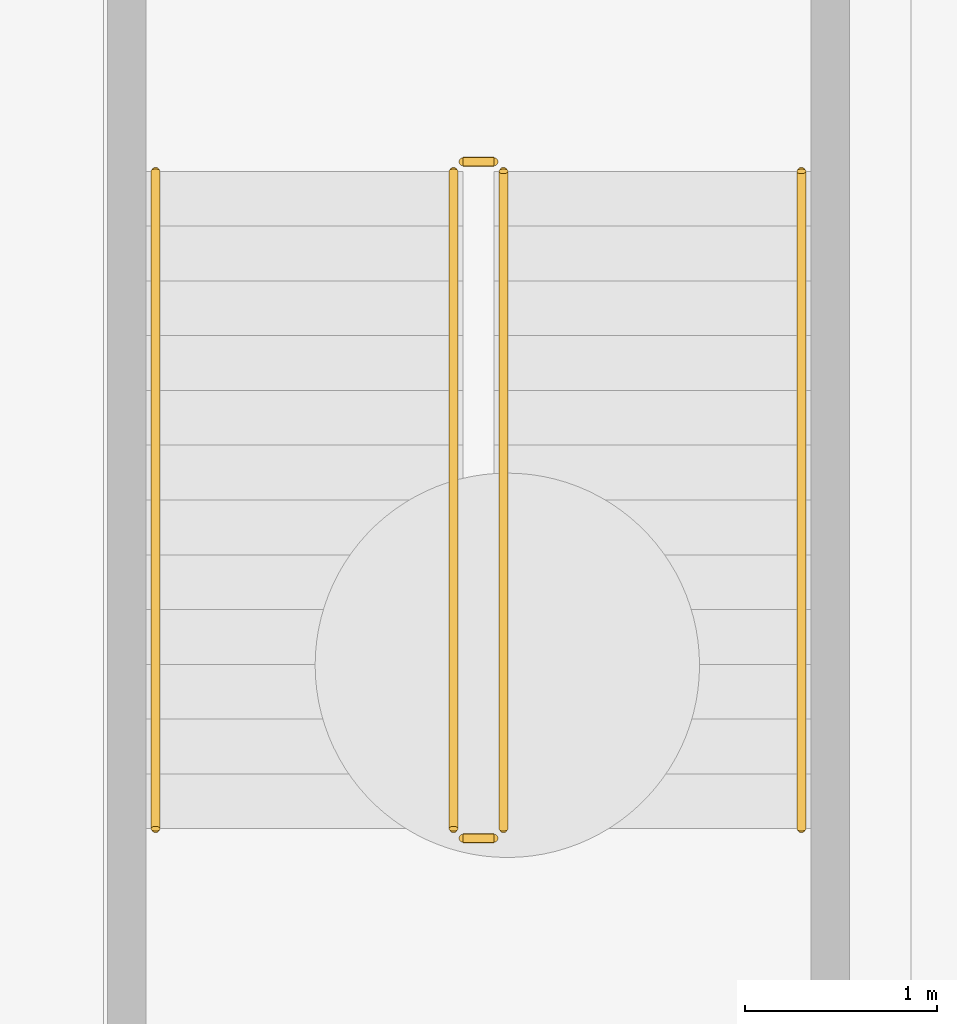
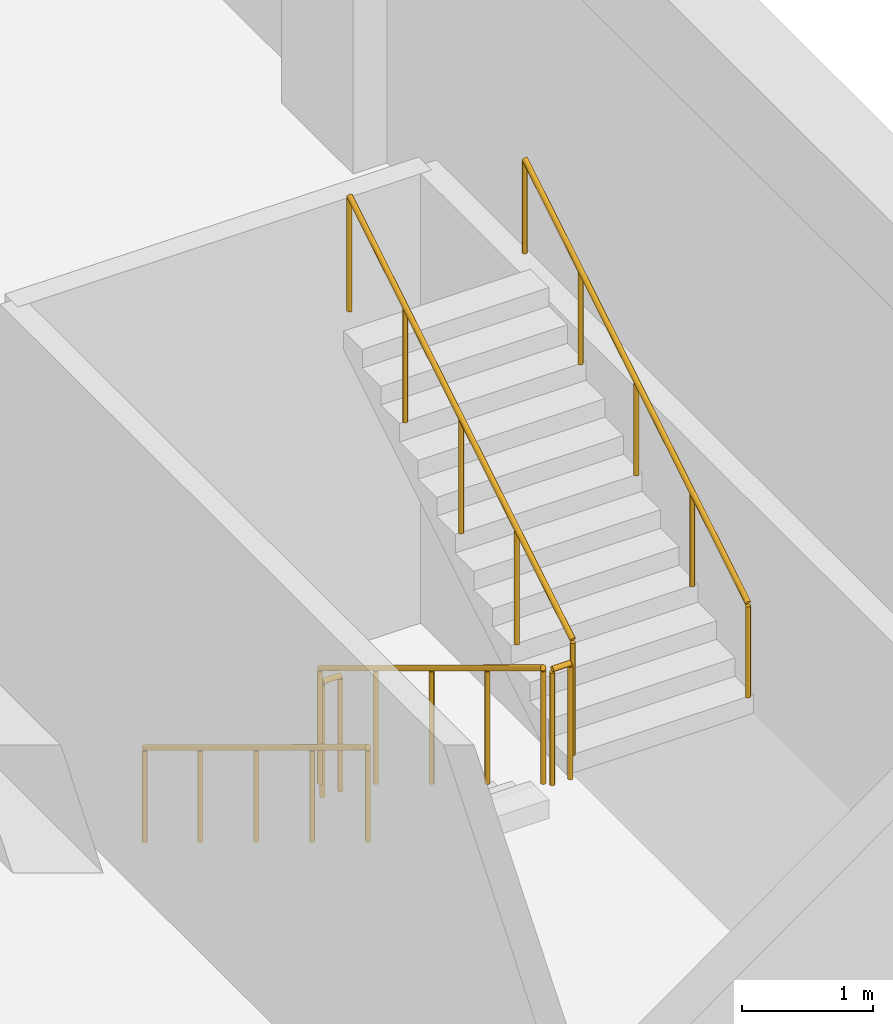
# One storey, part 16 of 17: 6 railings.
"""IFC4 building model written with IfcOpenShell, lengths in metres."""

from ifc_helpers import new_model, si_unit, direction, frame, origin, origin_2d, place, context, subcontext, project, spatial, circle, extrude, material, type_object, element, save


model = new_model("IFC4")

# Units and contexts
model_context = context("Model", 3, precision=1e-05, world=origin(), true_north=direction((0.0, 1.0)))
body_context = subcontext(model_context, "Body", "Model", "MODEL_VIEW")
ifc_project = project(units=[si_unit("LENGTHUNIT", "METRE"), si_unit("AREAUNIT", "SQUARE_METRE"), si_unit("VOLUMEUNIT", "CUBIC_METRE"), si_unit("PLANEANGLEUNIT", "RADIAN"), si_unit("MASSUNIT", "GRAM", prefix="KILO")], contexts=[model_context])

# Site, building, storey
site_placement = place(None, origin())
site = spatial("IfcSite", under=ifc_project, at=site_placement, CompositionType="ELEMENT")
building_placement = place(site_placement, origin())
building = spatial("IfcBuilding", under=site, at=building_placement, Name="Kovane Verandah Tower", CompositionType="ELEMENT")
storey_placement = place(building_placement, frame((0.0, 0.0, -9.0)))
storey = spatial("IfcBuildingStorey", under=building, at=storey_placement, Name="B2", CompositionType="ELEMENT", Elevation=-9.0)

# Railings
ifc_material_1 = material(Name="Brushed Stainless Steel Handrail", Category="steel")
railing_type_1 = type_object("IfcRailingType", Name="RL-HAND-920", PredefinedType="HANDRAIL", material=ifc_material_1)
railing_1_placement = place(storey_placement, frame((75.489990234375, 28.820068359375, 0.173095703125)))
element("IfcRailing", 1, at=railing_1_placement, inside=storey, type_object=railing_type_1, Name="B2 ST-05 stair handrail 1", PredefinedType="HANDRAIL", context=body_context, shape_type="SweptSolid", body=[
    extrude(circle(Radius=0.02392578125, at=origin_2d()), frame((0.0, 0.0, 0.8759765625), z_axis=(0.0, -0.854745945586, 0.519046595696), x_axis=(1.0, 0.0, 0.0)), (0.0, 0.0, 1.0), 4.00146484375),
    extrude(circle(Radius=0.02099609375, at=origin_2d()), origin(), (0.0, 0.0, 1.0), 0.851806640625),
    extrude(circle(Radius=0.02099609375, at=origin_2d()), frame((0.0, -0.85498046875, 0.519287109375)), (0.0, 0.0, 1.0), 0.851806640625),
    extrude(circle(Radius=0.02099609375, at=origin_2d()), frame((0.0, -1.7099609375, 1.03857421875)), (0.0, 0.0, 1.0), 0.851806640625),
    extrude(circle(Radius=0.02099609375, at=origin_2d()), frame((0.0, -2.565185546875, 1.5576171875)), (0.0, 0.0, 1.0), 0.851806640625),
    extrude(circle(Radius=0.02099609375, at=origin_2d()), frame((0.0, -3.420166015625, 2.076904296875)), (0.0, 0.0, 1.0), 0.851806640625),
])
railing_2_placement = place(storey_placement, frame((78.85009765625, 25.39990234375, 2.423095703125)))
element("IfcRailing", 2, at=railing_2_placement, inside=storey, type_object=railing_type_1, Name="B2 ST-05 stair handrail 2", PredefinedType="HANDRAIL", context=body_context, shape_type="SweptSolid", body=[
    extrude(circle(Radius=0.02392578125, at=origin_2d()), frame((0.0, 0.0, 0.8759765625), z_axis=(0.0, 0.854745945586, 0.519046595696), x_axis=(-1.0, 0.0, 0.0)), (0.0, 0.0, 1.0), 4.00146484375),
    extrude(circle(Radius=0.02099609375, at=origin_2d()), origin(), (0.0, 0.0, 1.0), 0.851806640625),
    extrude(circle(Radius=0.02099609375, at=origin_2d()), frame((0.0, 0.85498046875, 0.519287109375)), (0.0, 0.0, 1.0), 0.851806640625),
    extrude(circle(Radius=0.02099609375, at=origin_2d()), frame((0.0, 1.7099609375, 1.03857421875)), (0.0, 0.0, 1.0), 0.851806640625),
    extrude(circle(Radius=0.02099609375, at=origin_2d()), frame((0.0, 2.565185546875, 1.5576171875)), (0.0, 0.0, 1.0), 0.851806640625),
    extrude(circle(Radius=0.02099609375, at=origin_2d()), frame((0.0, 3.420166015625, 2.076904296875)), (0.0, 0.0, 1.0), 0.851806640625),
])
ifc_material_2 = material(Name="Painted Steel Stairwell Guardrail", Category="steel")
railing_type_2 = type_object("IfcRailingType", Name="RL-STGUARD-1120", PredefinedType="GUARDRAIL", material=ifc_material_2)
railing_3_placement = place(storey_placement, frame((77.0400390625, 28.820068359375, 0.173095703125)))
element("IfcRailing", 3, at=railing_3_placement, inside=storey, type_object=railing_type_2, Name="B2 ST-05 stair guard 1", PredefinedType="GUARDRAIL", context=body_context, shape_type="SweptSolid", body=[
    extrude(circle(Radius=0.02392578125, at=origin_2d()), frame((0.0, 0.0, 1.076171875), z_axis=(0.0, -0.854745945586, 0.519046595696), x_axis=(1.0, 0.0, 0.0)), (0.0, 0.0, 1.0), 4.00146484375),
    extrude(circle(Radius=0.02099609375, at=origin_2d()), origin(), (0.0, 0.0, 1.0), 1.052001953125),
    extrude(circle(Radius=0.02099609375, at=origin_2d()), frame((0.0, -0.85498046875, 0.519287109375)), (0.0, 0.0, 1.0), 1.052001953125),
    extrude(circle(Radius=0.02099609375, at=origin_2d()), frame((0.0, -1.7099609375, 1.03857421875)), (0.0, 0.0, 1.0), 1.052001953125),
    extrude(circle(Radius=0.02099609375, at=origin_2d()), frame((0.0, -2.565185546875, 1.5576171875)), (0.0, 0.0, 1.0), 1.052001953125),
    extrude(circle(Radius=0.02099609375, at=origin_2d()), frame((0.0, -3.420166015625, 2.076904296875)), (0.0, 0.0, 1.0), 1.052001953125),
])
railing_4_placement = place(storey_placement, frame((77.090087890625, 25.35009765625, 2.25)))
element("IfcRailing", 4, at=railing_4_placement, inside=storey, type_object=railing_type_2, Name="B2 ST-05 stair guard 2", PredefinedType="GUARDRAIL", context=body_context, shape_type="SweptSolid", body=[
    extrude(circle(Radius=0.02392578125, at=origin_2d()), frame((0.0, 0.0, 1.076171875), z_axis=(1.0, 0.0, 0.0), x_axis=(0.0, 1.0, 0.0)), (0.0, 0.0, 1.0), 0.159912109375),
    extrude(circle(Radius=0.02099609375, at=origin_2d()), origin(), (0.0, 0.0, 1.0), 1.052001953125),
    extrude(circle(Radius=0.02099609375, at=origin_2d()), frame((0.159912109375, 0.0, 0.0)), (0.0, 0.0, 1.0), 1.052001953125),
])
railing_5_placement = place(storey_placement, frame((77.300048828125, 25.39990234375, 2.423095703125)))
element("IfcRailing", 5, at=railing_5_placement, inside=storey, type_object=railing_type_2, Name="B2 ST-05 stair guard 3", PredefinedType="GUARDRAIL", context=body_context, shape_type="SweptSolid", body=[
    extrude(circle(Radius=0.02392578125, at=origin_2d()), frame((0.0, 0.0, 1.076171875), z_axis=(0.0, 0.854745945586, 0.519046595696), x_axis=(-1.0, 0.0, 0.0)), (0.0, 0.0, 1.0), 4.00146484375),
    extrude(circle(Radius=0.02099609375, at=origin_2d()), origin(), (0.0, 0.0, 1.0), 1.052001953125),
    extrude(circle(Radius=0.02099609375, at=origin_2d()), frame((0.0, 0.85498046875, 0.519287109375)), (0.0, 0.0, 1.0), 1.052001953125),
    extrude(circle(Radius=0.02099609375, at=origin_2d()), frame((0.0, 1.7099609375, 1.03857421875)), (0.0, 0.0, 1.0), 1.052001953125),
    extrude(circle(Radius=0.02099609375, at=origin_2d()), frame((0.0, 2.565185546875, 1.5576171875)), (0.0, 0.0, 1.0), 1.052001953125),
    extrude(circle(Radius=0.02099609375, at=origin_2d()), frame((0.0, 3.420166015625, 2.076904296875)), (0.0, 0.0, 1.0), 1.052001953125),
])
railing_6_placement = place(storey_placement, frame((77.090087890625, 28.8701171875, 0.0)))
element("IfcRailing", 6, at=railing_6_placement, inside=storey, type_object=railing_type_2, Name="B2 ST-05 stair guard 4", PredefinedType="GUARDRAIL", context=body_context, shape_type="SweptSolid", body=[
    extrude(circle(Radius=0.02392578125, at=origin_2d()), frame((0.0, 0.0, 1.076171875), z_axis=(1.0, 0.0, 0.0), x_axis=(0.0, 1.0, 0.0)), (0.0, 0.0, 1.0), 0.159912109375),
    extrude(circle(Radius=0.02099609375, at=origin_2d()), origin(), (0.0, 0.0, 1.0), 1.052001953125),
    extrude(circle(Radius=0.02099609375, at=origin_2d()), frame((0.159912109375, 0.0, 0.0)), (0.0, 0.0, 1.0), 1.052001953125),
])

save(model, "model.ifc")
